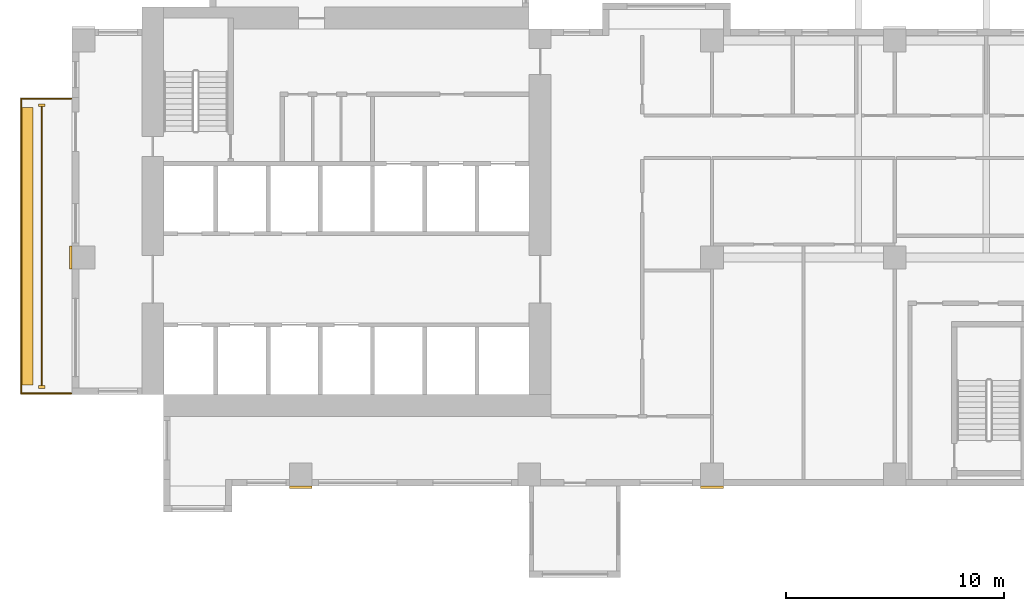
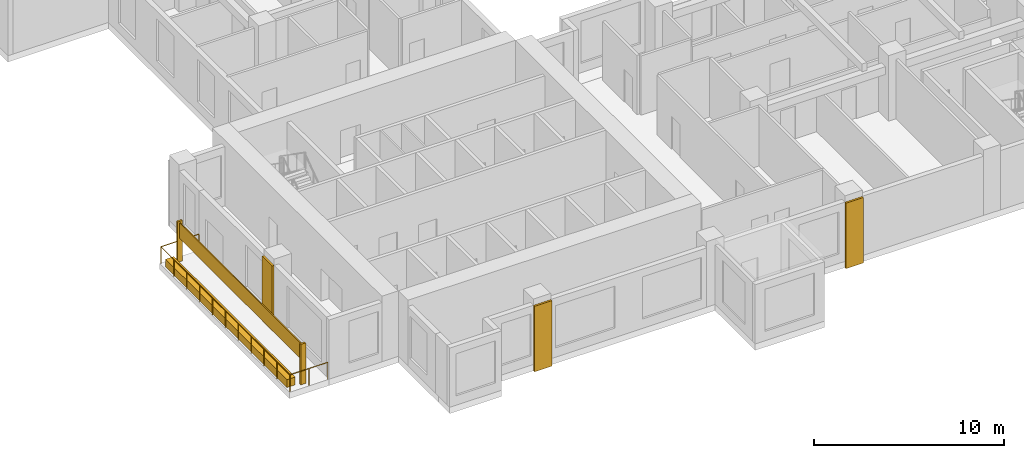
# One storey, part 10 of 14: 7 coverings, 1 railing.
"""IFC4 building model written with IfcOpenShell, lengths in metres."""

from ifc_helpers import new_model, si_unit, direction, frame, origin, origin_2d, place, context, subcontext, project, spatial, rectangle, circle, extrude, source, transform, mapped, material, type_object, element, save


model = new_model("IFC4")

# Units and contexts
model_context = context("Model", 3, precision=1e-05, world=origin(), true_north=direction((0.0, 1.0)))
body_context = subcontext(model_context, "Body", "Model", "MODEL_VIEW")
ifc_project = project(units=[si_unit("LENGTHUNIT", "METRE"), si_unit("AREAUNIT", "SQUARE_METRE"), si_unit("VOLUMEUNIT", "CUBIC_METRE"), si_unit("PLANEANGLEUNIT", "RADIAN"), si_unit("MASSUNIT", "GRAM", prefix="KILO")], contexts=[model_context])

# Site, building, storey
site_placement = place(None, origin())
site = spatial("IfcSite", under=ifc_project, at=site_placement, CompositionType="ELEMENT")
building_placement = place(site_placement, origin())
building = spatial("IfcBuilding", under=site, at=building_placement, Name="Aurelian Terraces", CompositionType="ELEMENT")
storey_placement = place(building_placement, frame((0.0, 0.0, 116.1)))
storey = spatial("IfcBuildingStorey", under=building, at=storey_placement, Name="L25", CompositionType="ELEMENT", Elevation=116.1)

# Coverings
ifc_material_1 = material(Name="Terracotta rainscreen cladding relief", Category="masonry")
covering_type_1 = type_object("IfcCoveringType", Name="FIN-TC", PredefinedType="CLADDING", material=ifc_material_1)
shared_shape_1 = source(origin(), body_context, "Body", "SweptSolid", [
    extrude(rectangle(XDim=0.3, YDim=0.12, at=origin_2d()), origin(), (0.0, 0.0, 1.0), 2.6),
])
for number, where, z_axis, x_axis, name in (
    (1, (-1.4, 17.5, 0.0), (0.0, 0.0, 1.0), (1.0, 0.0, 0.0), "FIN L25 L25-F20-40.1"),
    (2, (-1.4, 4.55, 0.0), (0.0, 0.0, 1.0), (1.0, 0.0, 0.0), "FIN L25 L25-F20-40.2"),
):
    element("IfcCovering", number, at=place(storey_placement, frame(where, z_axis=z_axis, x_axis=x_axis)), inside=storey, type_object=covering_type_1, Name=name, PredefinedType="CLADDING", context=body_context, shape_type="MappedRepresentation", body=[
        mapped(shared_shape_1, transform((0.0, 0.0, 0.0), scale=1.0)),
    ])

# Railing
ifc_material_2 = material(Name="Anodised aluminium", Category="aluminium")
railing_type = type_object("IfcRailingType", Name="GUARD-1100", PredefinedType="GUARDRAIL", material=ifc_material_2)
shared_shape_2 = source(origin(), body_context, "Body", "SweptSolid", [
    extrude(circle(Radius=0.024, at=origin_2d()), frame((0.0, 0.0, 1.076), z_axis=(-1.0, 0.0, 0.0), x_axis=(0.0, -1.0, 0.0)), (0.0, 0.0, 1.0), 2.3),
    extrude(circle(Radius=0.024, at=origin_2d()), frame((-2.3, 0.0, 1.076), z_axis=(0.0, -1.0, 0.0), x_axis=(1.0, 0.0, 0.0)), (0.0, 0.0, 1.0), 13.55),
    extrude(circle(Radius=0.024, at=origin_2d()), frame((-2.3, -13.55, 1.076), z_axis=(1.0, 0.0, 0.0), x_axis=(0.0, 1.0, 0.0)), (0.0, 0.0, 1.0), 2.3),
    extrude(circle(Radius=0.021, at=origin_2d()), origin(), (0.0, 0.0, 1.0), 1.052),
    extrude(circle(Radius=0.021, at=origin_2d()), frame((-1.15, 0.0, 0.0)), (0.0, 0.0, 1.0), 1.052),
    extrude(circle(Radius=0.021, at=origin_2d()), frame((-2.3, 0.0, 0.0)), (0.0, 0.0, 1.0), 1.052),
    extrude(circle(Radius=0.021, at=origin_2d()), frame((-2.3, -1.355, 0.0)), (0.0, 0.0, 1.0), 1.052),
    extrude(circle(Radius=0.021, at=origin_2d()), frame((-2.3, -2.71, 0.0)), (0.0, 0.0, 1.0), 1.052),
    extrude(circle(Radius=0.021, at=origin_2d()), frame((-2.3, -4.065, 0.0)), (0.0, 0.0, 1.0), 1.052),
    extrude(circle(Radius=0.021, at=origin_2d()), frame((-2.3, -5.42, 0.0)), (0.0, 0.0, 1.0), 1.052),
    extrude(circle(Radius=0.021, at=origin_2d()), frame((-2.3, -6.775, 0.0)), (0.0, 0.0, 1.0), 1.052),
    extrude(circle(Radius=0.021, at=origin_2d()), frame((-2.3, -8.13, 0.0)), (0.0, 0.0, 1.0), 1.052),
    extrude(circle(Radius=0.021, at=origin_2d()), frame((-2.3, -9.485, 0.0)), (0.0, 0.0, 1.0), 1.052),
    extrude(circle(Radius=0.021, at=origin_2d()), frame((-2.3, -10.84, 0.0)), (0.0, 0.0, 1.0), 1.052),
    extrude(circle(Radius=0.021, at=origin_2d()), frame((-2.3, -12.195, 0.0)), (0.0, 0.0, 1.0), 1.052),
    extrude(circle(Radius=0.021, at=origin_2d()), frame((-2.3, -13.55, 0.0)), (0.0, 0.0, 1.0), 1.052),
    extrude(circle(Radius=0.021, at=origin_2d()), frame((-1.15, -13.55, 0.0)), (0.0, 0.0, 1.0), 1.052),
    extrude(circle(Radius=0.021, at=origin_2d()), frame((0.0, -13.55, 0.0)), (0.0, 0.0, 1.0), 1.052),
])
railing_placement = place(storey_placement, frame((-0.05, 17.8, 0.0)))
element("IfcRailing", 3, at=railing_placement, inside=storey, type_object=railing_type, Name="Balcony guard L25 F20.40", PredefinedType="GUARDRAIL", context=body_context, shape_type="MappedRepresentation", body=[
    mapped(shared_shape_2, transform((0.0, 0.0, 0.0), scale=1.0)),
])

# Coverings
ifc_material_3 = material(Name="Terracotta planter with planting soil", Category="masonry")
covering_type_2 = type_object("IfcCoveringType", Name="PLANTER-TROUGH", PredefinedType="USERDEFINED", material=ifc_material_3)
shared_shape_3 = source(origin(), body_context, "Body", "SweptSolid", [
    extrude(rectangle(XDim=0.5, YDim=12.75, at=origin_2d()), origin(), (0.0, 0.0, 1.0), 0.5),
])
covering_1_placement = place(storey_placement, frame((-2.05, 11.025, 0.0), z_axis=(0.0, 0.0, 1.0), x_axis=(1.0, 0.0, 0.0)))
element("IfcCovering", 4, at=covering_1_placement, inside=storey, type_object=covering_type_2, Name="PLANTER L25 L25-F20-40", ObjectType="PLANTER", PredefinedType="USERDEFINED", context=body_context, shape_type="MappedRepresentation", body=[
    mapped(shared_shape_3, transform((0.0, 0.0, 0.0), scale=1.0)),
])
ifc_material_4 = material(Name="Terracotta rainscreen cladding", Category="masonry")
covering_type_3 = type_object("IfcCoveringType", Name="SCREEN-TC", PredefinedType="CLADDING", material=ifc_material_4)
shared_shape_4 = source(origin(), body_context, "Body", "SweptSolid", [
    extrude(rectangle(XDim=0.06, YDim=12.83, at=origin_2d()), origin(), (0.0, 0.0, 1.0), 1.0),
])
covering_2_placement = place(storey_placement, frame((-1.4, 11.025, 1.5), z_axis=(0.0, 0.0, 1.0), x_axis=(1.0, 0.0, 0.0)))
element("IfcCovering", 5, at=covering_2_placement, inside=storey, type_object=covering_type_3, Name="SCREEN L25 L25-F20-40", PredefinedType="CLADDING", context=body_context, shape_type="MappedRepresentation", body=[
    mapped(shared_shape_4, transform((0.0, 0.0, 0.0), scale=1.0)),
])
covering_type_4 = type_object("IfcCoveringType", Name="BAGUETTE-TC", PredefinedType="CLADDING", material=ifc_material_1)
shared_shape_5 = source(origin(), body_context, "Body", "SweptSolid", [
    extrude(rectangle(XDim=1.05, YDim=0.12, at=origin_2d()), origin(), (0.0, 0.0, 1.0), 4.2),
])
for number, where, z_axis, x_axis, name in (
    (6, (10.5, -0.06, -0.4), (0.0, 0.0, 1.0), (1.0, 0.0, 0.0), "BAGUETTE pier L25 1"),
    (7, (29.4, -0.06, -0.4), (0.0, 0.0, 1.0), (1.0, 0.0, 0.0), "BAGUETTE pier L25 2"),
):
    element("IfcCovering", number, at=place(storey_placement, frame(where, z_axis=z_axis, x_axis=x_axis)), inside=storey, type_object=covering_type_4, Name=name, PredefinedType="CLADDING", context=body_context, shape_type="MappedRepresentation", body=[
        mapped(shared_shape_5, transform((0.0, 0.0, 0.0), scale=1.0)),
    ])
shared_shape_6 = source(origin(), body_context, "Body", "SweptSolid", [
    extrude(rectangle(XDim=0.12, YDim=1.05, at=origin_2d()), origin(), (0.0, 0.0, 1.0), 4.2),
])
covering_3_placement = place(storey_placement, frame((-0.06, 10.5, -0.4), z_axis=(0.0, 0.0, 1.0), x_axis=(1.0, 0.0, 0.0)))
element("IfcCovering", 8, at=covering_3_placement, inside=storey, type_object=covering_type_4, Name="BAGUETTE pier L25 5", PredefinedType="CLADDING", context=body_context, shape_type="MappedRepresentation", body=[
    mapped(shared_shape_6, transform((0.0, 0.0, 0.0), scale=1.0)),
])

save(model, "model.ifc")
